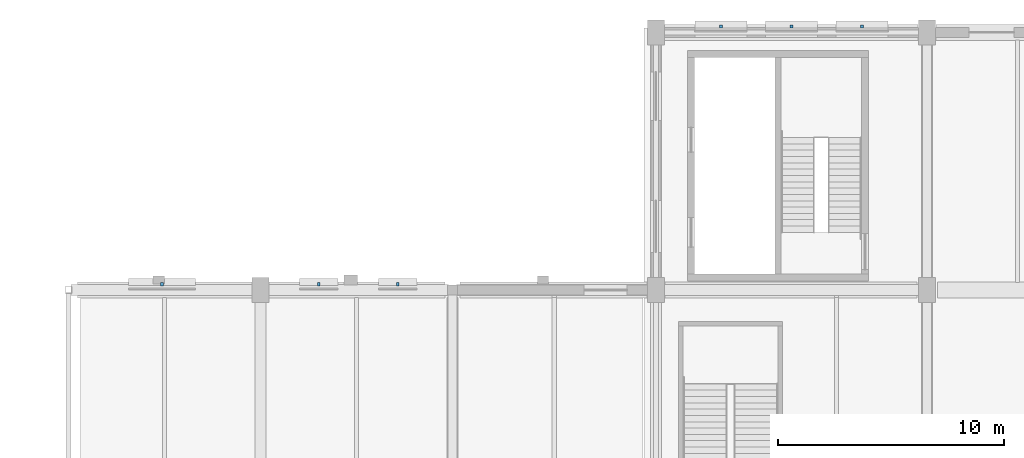
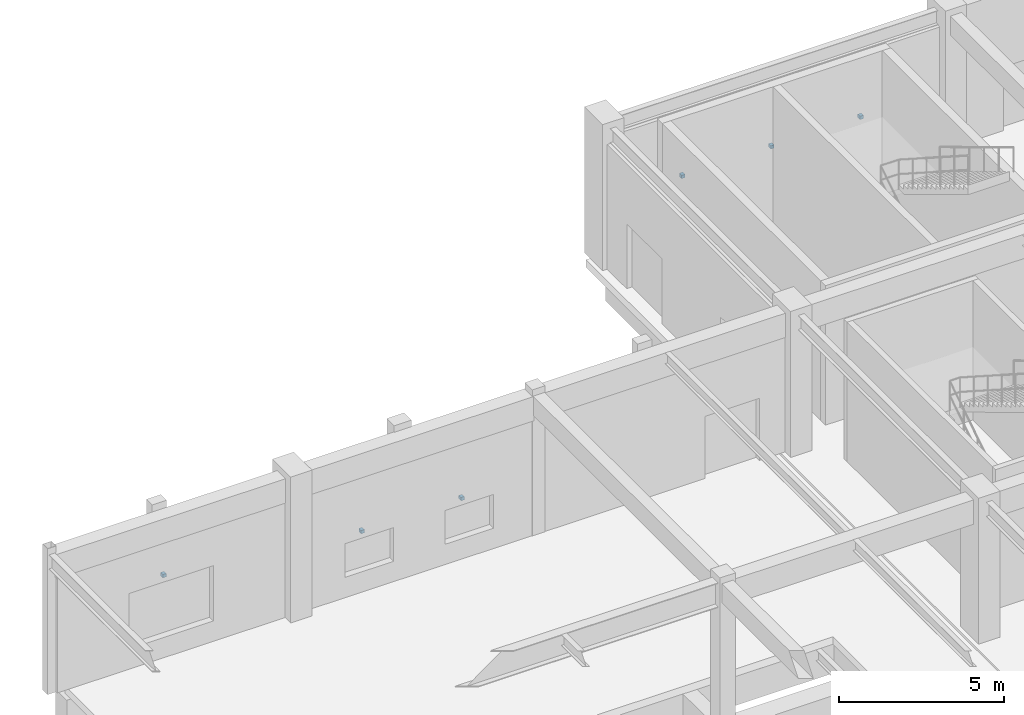
# One storey, part 104 of 113: 6 discrete accessories.
"""IFC4 building model written with IfcOpenShell, lengths in metres."""

from ifc_helpers import new_model, si_unit, direction, frame, origin, origin_2d, place, context, subcontext, project, spatial, rectangle, extrude, material, type_object, element, save


model = new_model("IFC4")

# Units and contexts
model_context = context("Model", 3, precision=1e-05, world=origin(), true_north=direction((0.0, 1.0)))
body_context = subcontext(model_context, "Body", "Model", "MODEL_VIEW")
ifc_project = project(units=[si_unit("LENGTHUNIT", "METRE"), si_unit("AREAUNIT", "SQUARE_METRE"), si_unit("VOLUMEUNIT", "CUBIC_METRE"), si_unit("PLANEANGLEUNIT", "RADIAN"), si_unit("MASSUNIT", "GRAM", prefix="KILO"), si_unit("POWERUNIT", "WATT"), si_unit("THERMODYNAMICTEMPERATUREUNIT", "KELVIN")], contexts=[model_context])

# Site, building, storey
site_placement = place(None, origin())
site = spatial("IfcSite", under=ifc_project, at=site_placement, CompositionType="ELEMENT")
building_placement = place(site_placement, origin())
building = spatial("IfcBuilding", under=site, at=building_placement, Name="Kelmbourne Parkland Aquatics Centre", CompositionType="ELEMENT")
storey_placement = place(building_placement, origin())
storey = spatial("IfcBuildingStorey", under=building, at=storey_placement, Name="L00", CompositionType="ELEMENT", Elevation=0.0)

# Discrete accessories
ifc_material = material(Name="Hot-dip galvanised structural steel AS/NZS 4680", Category="steel")
discrete_accessory_type = type_object("IfcDiscreteAccessoryType", Name="ACC-BRK-1", PredefinedType="BRACKET", material=ifc_material)
for number, where, z_axis, x_axis, name in (
    (1, (106.137451171875, 103.655029296875, 2.639892578125), (0.0, 0.0, 1.0), (1.0, 0.0, 0.0), "Galvanised sunshade fixing bracket 065"),
    (2, (113.076904296875, 103.655029296875, 1.83984375), (0.0, 0.0, 1.0), (1.0, 0.0, 0.0), "Galvanised sunshade fixing bracket 066"),
    (3, (116.572998046875, 103.655029296875, 1.83984375), (0.0, 0.0, 1.0), (1.0, 0.0, 0.0), "Galvanised sunshade fixing bracket 067"),
    (4, (130.876953125, 115.054931640625, 1.83984375), (0.0, 0.0, 1.0), (1.0, 0.0, 0.0), "Galvanised sunshade fixing bracket 068"),
    (5, (134.0, 115.054931640625, 1.83984375), (0.0, 0.0, 1.0), (1.0, 0.0, 0.0), "Galvanised sunshade fixing bracket 069"),
    (6, (137.123046875, 115.054931640625, 1.83984375), (0.0, 0.0, 1.0), (1.0, 0.0, 0.0), "Galvanised sunshade fixing bracket 070"),
):
    element("IfcDiscreteAccessory", number, at=place(storey_placement, frame(where, z_axis=z_axis, x_axis=x_axis)), inside=storey, type_object=discrete_accessory_type, Name=name, PredefinedType="BRACKET", context=body_context, shape_type="SweptSolid", body=[
        extrude(rectangle(XDim=0.1201171875, YDim=0.139892578125, at=origin_2d()), origin(), (0.0, 0.0, 1.0), 0.1201171875),
    ])

save(model, "model.ifc")
